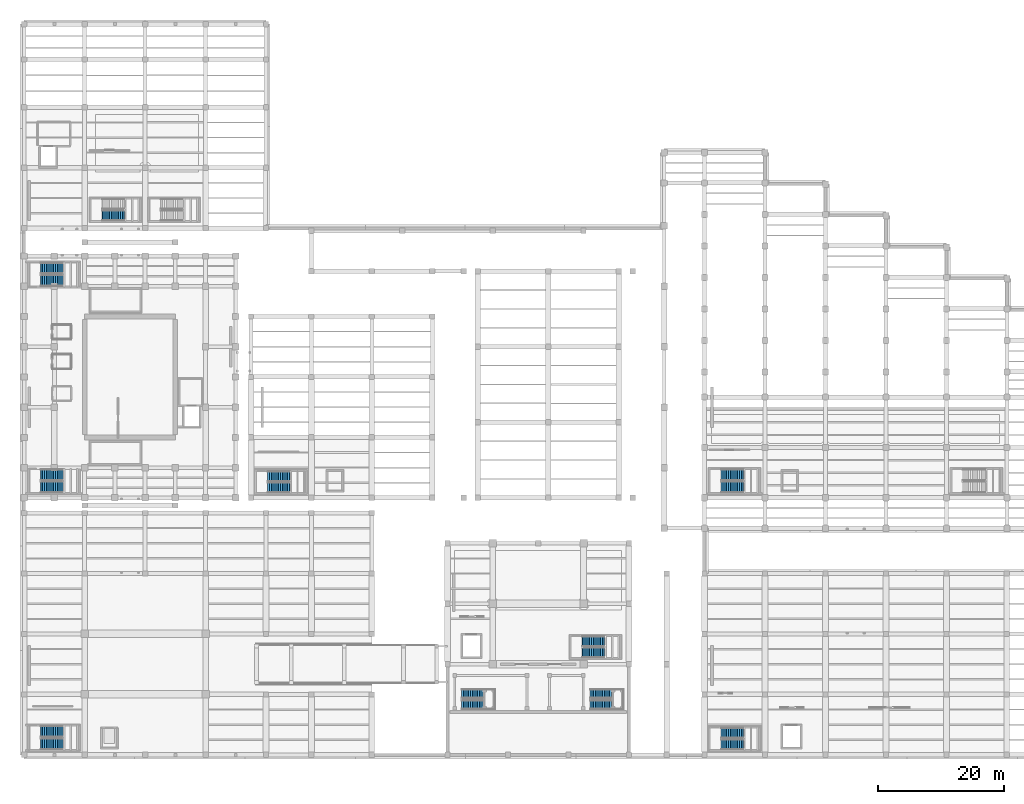
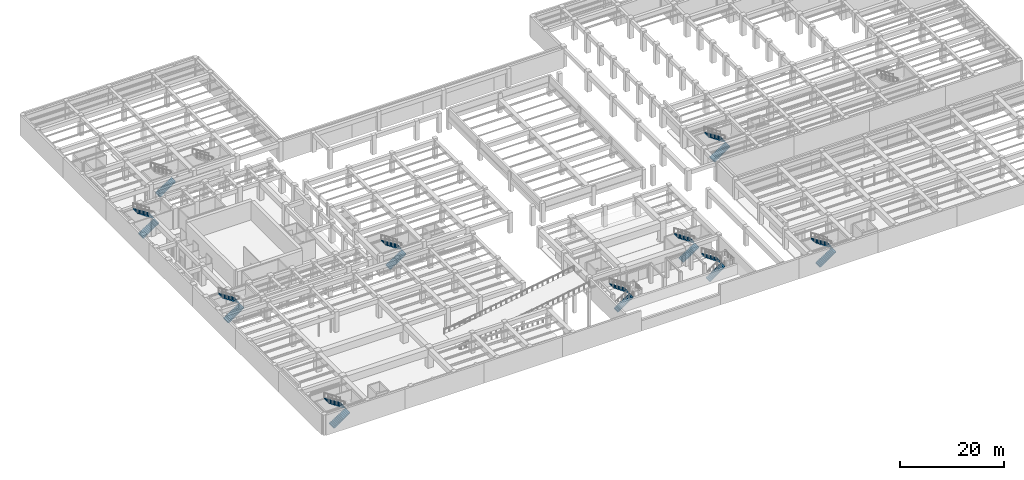
# One storey, part 30 of 45: 19 stair flights, 10 elements without a shape of their own.
"""IFC4 building model written with IfcOpenShell, lengths in metres."""

from ifc_helpers import new_model, si_unit, direction, frame, origin, place, context, subcontext, project, spatial, polyline, outline, extrude, material, type_object, element, aggregate, save


model = new_model("IFC4")

# Units and contexts
model_context = context("Model", 3, precision=1e-05, world=origin(), true_north=direction((0.0, 1.0)))
body_context = subcontext(model_context, "Body", "Model", "MODEL_VIEW")
ifc_project = project(units=[si_unit("LENGTHUNIT", "METRE"), si_unit("AREAUNIT", "SQUARE_METRE"), si_unit("VOLUMEUNIT", "CUBIC_METRE"), si_unit("PLANEANGLEUNIT", "RADIAN"), si_unit("MASSUNIT", "GRAM", prefix="KILO")], contexts=[model_context])

# Site, building, storey
site_placement = place(None, origin())
site = spatial("IfcSite", under=ifc_project, at=site_placement, CompositionType="ELEMENT")
building_placement = place(site_placement, origin())
building = spatial("IfcBuilding", under=site, at=building_placement, Name="Mavantir Sound Aquarium", CompositionType="ELEMENT")
storey_placement = place(building_placement, frame((0.0, 0.0, -4.800048828125)))
storey = spatial("IfcBuildingStorey", under=building, at=storey_placement, Name="B1", CompositionType="ELEMENT", Elevation=-4.800048828125)

# Stair, stair flights
ifc_material = material(Name="Concrete C40/50", Category="concrete")
stair_type_1 = type_object("IfcStairType", Name="STR-1450-4800", PredefinedType="HALF_TURN_STAIR", material=ifc_material)
stair_1_placement = place(storey_placement, origin())
stair_1 = element("IfcStair", 1, at=stair_1_placement, inside=storey, type_object=stair_type_1, Name="B1 ST13", PredefinedType="HALF_TURN_STAIR")
stair_flight_type_1 = type_object("IfcStairFlightType", Name="STF-1450-4800", PredefinedType="STRAIGHT", material=ifc_material)
stair_flight_1_placement = place(storey_placement, frame((69.449951171875, 7.97509765625, 0.0), z_axis=(0.0, 0.0, 1.0), x_axis=(1.0, 0.0, 0.0)))
stair_flight_1 = element("IfcStairFlight", 2, at=stair_flight_1_placement, type_object=stair_flight_type_1, Name="ST13 flight 1", NumberOfRisers=13, NumberOfTreads=12, PredefinedType="STRAIGHT", RiserHeight=0.184615385, TreadLength=0.28, context=body_context, shape_type="SweptSolid", body=[
    extrude(outline(polyline([(-0.044921875, -0.139892578125), (-0.044921875, 0.0), (0.0, 0.0), (0.0, 0.1845703125), (0.280029296875, 0.1845703125), (0.280029296875, 0.369140625), (0.56005859375, 0.369140625), (0.56005859375, 0.553955078125), (0.840087890625, 0.553955078125), (0.840087890625, 0.738525390625), (1.1201171875, 0.738525390625), (1.1201171875, 0.923095703125), (1.39990234375, 0.923095703125), (1.39990234375, 1.107666015625), (1.679931640625, 1.107666015625), (1.679931640625, 1.292236328125), (1.9599609375, 1.292236328125), (1.9599609375, 1.476806640625), (2.239990234375, 1.476806640625), (2.239990234375, 1.66162109375), (2.52001953125, 1.66162109375), (2.52001953125, 1.84619140625), (2.800048828125, 1.84619140625), (2.800048828125, 2.03076171875), (3.080078125, 2.03076171875), (3.080078125, 2.21533203125), (3.360107421875, 2.21533203125), (3.360107421875, 2.39990234375), (3.405029296875, 2.39990234375), (3.405029296875, 2.080078125), (3.360107421875, 2.080078125), (0.205322265625, -0.139892578125), (-0.044921875, -0.139892578125)])), frame((0.0, 0.72509765625, 0.0), z_axis=(0.0, -1.0, 0.0), x_axis=(1.0, 0.0, 0.0)), (0.0, 0.0, 1.0), 1.449951171875),
])
stair_flight_2_placement = place(storey_placement, frame((72.81005859375, 9.72509765625, 2.400146484375), z_axis=(0.0, 0.0, 1.0), x_axis=(-1.0, 0.0, 0.0)))
stair_flight_2 = element("IfcStairFlight", 3, at=stair_flight_2_placement, type_object=stair_flight_type_1, Name="ST13 flight 2", NumberOfRisers=13, NumberOfTreads=12, PredefinedType="STRAIGHT", RiserHeight=0.184615385, TreadLength=0.28, context=body_context, shape_type="SweptSolid", body=[
    extrude(outline(polyline([(-0.044921875, -0.139892578125), (-0.044921875, 0.0), (0.0, 0.0), (0.0, 0.1845703125), (0.280029296875, 0.1845703125), (0.280029296875, 0.369140625), (0.56005859375, 0.369140625), (0.56005859375, 0.553955078125), (0.840087890625, 0.553955078125), (0.840087890625, 0.738525390625), (1.1201171875, 0.738525390625), (1.1201171875, 0.923095703125), (1.39990234375, 0.923095703125), (1.39990234375, 1.107666015625), (1.679931640625, 1.107666015625), (1.679931640625, 1.292236328125), (1.9599609375, 1.292236328125), (1.9599609375, 1.476806640625), (2.239990234375, 1.476806640625), (2.239990234375, 1.66162109375), (2.52001953125, 1.66162109375), (2.52001953125, 1.84619140625), (2.800048828125, 1.84619140625), (2.800048828125, 2.03076171875), (3.080078125, 2.03076171875), (3.080078125, 2.21533203125), (3.360107421875, 2.21533203125), (3.360107421875, 2.39990234375), (3.405029296875, 2.39990234375), (3.405029296875, 2.080078125), (3.360107421875, 2.080078125), (0.205322265625, -0.139892578125), (-0.044921875, -0.139892578125)])), frame((0.0, 0.72509765625, 0.0), z_axis=(0.0, -1.0, 0.0), x_axis=(1.0, 0.0, 0.0)), (0.0, 0.0, 1.0), 1.449951171875),
])
aggregate(stair_1, [stair_flight_1, stair_flight_2])

stair_2_placement = place(storey_placement, origin())
stair_2 = element("IfcStair", 4, at=stair_2_placement, inside=storey, type_object=stair_type_1, Name="B1 ST14", PredefinedType="HALF_TURN_STAIR")
stair_flight_3_placement = place(storey_placement, frame((89.85009765625, 7.97509765625, 0.0), z_axis=(0.0, 0.0, 1.0), x_axis=(1.0, 0.0, 0.0)))
stair_flight_3 = element("IfcStairFlight", 5, at=stair_flight_3_placement, type_object=stair_flight_type_1, Name="ST14 flight 1", NumberOfRisers=13, NumberOfTreads=12, PredefinedType="STRAIGHT", RiserHeight=0.184615385, TreadLength=0.28, context=body_context, shape_type="SweptSolid", body=[
    extrude(outline(polyline([(-0.044921875, -0.139892578125), (-0.044921875, 0.0), (0.0, 0.0), (0.0, 0.1845703125), (0.280029296875, 0.1845703125), (0.280029296875, 0.369140625), (0.56005859375, 0.369140625), (0.56005859375, 0.553955078125), (0.840087890625, 0.553955078125), (0.840087890625, 0.738525390625), (1.1201171875, 0.738525390625), (1.1201171875, 0.923095703125), (1.39990234375, 0.923095703125), (1.39990234375, 1.107666015625), (1.679931640625, 1.107666015625), (1.679931640625, 1.292236328125), (1.9599609375, 1.292236328125), (1.9599609375, 1.476806640625), (2.239990234375, 1.476806640625), (2.239990234375, 1.66162109375), (2.52001953125, 1.66162109375), (2.52001953125, 1.84619140625), (2.800048828125, 1.84619140625), (2.800048828125, 2.03076171875), (3.080078125, 2.03076171875), (3.080078125, 2.21533203125), (3.360107421875, 2.21533203125), (3.360107421875, 2.39990234375), (3.405029296875, 2.39990234375), (3.405029296875, 2.080078125), (3.360107421875, 2.080078125), (0.205322265625, -0.139892578125), (-0.044921875, -0.139892578125)])), frame((0.0, 0.72509765625, 0.0), z_axis=(0.0, -1.0, 0.0), x_axis=(1.0, 0.0, 0.0)), (0.0, 0.0, 1.0), 1.449951171875),
])
stair_flight_4_placement = place(storey_placement, frame((93.2099609375, 9.72509765625, 2.400146484375), z_axis=(0.0, 0.0, 1.0), x_axis=(-1.0, 0.0, 0.0)))
stair_flight_4 = element("IfcStairFlight", 6, at=stair_flight_4_placement, type_object=stair_flight_type_1, Name="ST14 flight 2", NumberOfRisers=13, NumberOfTreads=12, PredefinedType="STRAIGHT", RiserHeight=0.184615385, TreadLength=0.28, context=body_context, shape_type="SweptSolid", body=[
    extrude(outline(polyline([(-0.044921875, -0.139892578125), (-0.044921875, 0.0), (0.0, 0.0), (0.0, 0.1845703125), (0.280029296875, 0.1845703125), (0.280029296875, 0.369140625), (0.56005859375, 0.369140625), (0.56005859375, 0.553955078125), (0.840087890625, 0.553955078125), (0.840087890625, 0.738525390625), (1.1201171875, 0.738525390625), (1.1201171875, 0.923095703125), (1.39990234375, 0.923095703125), (1.39990234375, 1.107666015625), (1.679931640625, 1.107666015625), (1.679931640625, 1.292236328125), (1.9599609375, 1.292236328125), (1.9599609375, 1.476806640625), (2.239990234375, 1.476806640625), (2.239990234375, 1.66162109375), (2.52001953125, 1.66162109375), (2.52001953125, 1.84619140625), (2.800048828125, 1.84619140625), (2.800048828125, 2.03076171875), (3.080078125, 2.03076171875), (3.080078125, 2.21533203125), (3.360107421875, 2.21533203125), (3.360107421875, 2.39990234375), (3.405029296875, 2.39990234375), (3.405029296875, 2.080078125), (3.360107421875, 2.080078125), (0.205322265625, -0.139892578125), (-0.044921875, -0.139892578125)])), frame((0.0, 0.72509765625, 0.0), z_axis=(0.0, -1.0, 0.0), x_axis=(1.0, 0.0, 0.0)), (0.0, 0.0, 1.0), 1.449951171875),
])
aggregate(stair_2, [stair_flight_3, stair_flight_4])

# Stair, stair flight
stair_type_2 = type_object("IfcStairType", Name="STR-1650-4800", PredefinedType="HALF_TURN_STAIR", material=ifc_material)
stair_3_placement = place(storey_placement, origin())
stair_3 = element("IfcStair", 7, at=stair_3_placement, inside=storey, type_object=stair_type_2, Name="B1 Protected exit stair ST5", PredefinedType="HALF_TURN_STAIR")
stair_flight_type_2 = type_object("IfcStairFlightType", Name="STF-1650-4800", PredefinedType="STRAIGHT", material=ifc_material)
stair_flight_5_placement = place(storey_placement, frame((12.39990234375, 85.625, 0.0), z_axis=(0.0, 0.0, 1.0), x_axis=(1.0, 0.0, 0.0)))
stair_flight_5 = element("IfcStairFlight", 8, at=stair_flight_5_placement, type_object=stair_flight_type_2, Name="ST5 flight 1", NumberOfRisers=13, NumberOfTreads=12, PredefinedType="STRAIGHT", RiserHeight=0.184615385, TreadLength=0.29, context=body_context, shape_type="SweptSolid", body=[
    extrude(outline(polyline([(-0.044921875, -0.139892578125), (-0.044921875, 0.0), (0.0, 0.0), (0.0, 0.1845703125), (0.2900390625, 0.1845703125), (0.2900390625, 0.369140625), (0.580078125, 0.369140625), (0.580078125, 0.553955078125), (0.8701171875, 0.553955078125), (0.8701171875, 0.738525390625), (1.159912109375, 0.738525390625), (1.159912109375, 0.923095703125), (1.449951171875, 0.923095703125), (1.449951171875, 1.107666015625), (1.739990234375, 1.107666015625), (1.739990234375, 1.292236328125), (2.030029296875, 1.292236328125), (2.030029296875, 1.476806640625), (2.320068359375, 1.476806640625), (2.320068359375, 1.66162109375), (2.610107421875, 1.66162109375), (2.610107421875, 1.84619140625), (2.89990234375, 1.84619140625), (2.89990234375, 2.03076171875), (3.18994140625, 2.03076171875), (3.18994140625, 2.21533203125), (3.47998046875, 2.21533203125), (3.47998046875, 2.39990234375), (3.52490234375, 2.39990234375), (3.52490234375, 2.080078125), (3.47998046875, 2.080078125), (0.212646484375, -0.139892578125), (-0.044921875, -0.139892578125)])), frame((0.0, 0.824951171875, 0.0), z_axis=(0.0, -1.0, 0.0), x_axis=(1.0, 0.0, 0.0)), (0.0, 0.0, 1.0), 1.64990234375),
])
aggregate(stair_3, [stair_flight_5])

# Stair, stair flights
stair_4_placement = place(storey_placement, origin())
stair_4 = element("IfcStair", 9, at=stair_4_placement, inside=storey, type_object=stair_type_2, Name="B1 Protected exit stair ST6", PredefinedType="HALF_TURN_STAIR")
stair_flight_6_placement = place(storey_placement, frame((110.64990234375, 1.675048828125, 0.0), z_axis=(0.0, 0.0, 1.0), x_axis=(1.0, 0.0, 0.0)))
stair_flight_6 = element("IfcStairFlight", 10, at=stair_flight_6_placement, type_object=stair_flight_type_2, Name="ST6 flight 1", NumberOfRisers=13, NumberOfTreads=12, PredefinedType="STRAIGHT", RiserHeight=0.184615385, TreadLength=0.29, context=body_context, shape_type="SweptSolid", body=[
    extrude(outline(polyline([(-0.044921875, -0.139892578125), (-0.044921875, 0.0), (0.0, 0.0), (0.0, 0.1845703125), (0.2900390625, 0.1845703125), (0.2900390625, 0.369140625), (0.580078125, 0.369140625), (0.580078125, 0.553955078125), (0.8701171875, 0.553955078125), (0.8701171875, 0.738525390625), (1.159912109375, 0.738525390625), (1.159912109375, 0.923095703125), (1.449951171875, 0.923095703125), (1.449951171875, 1.107666015625), (1.739990234375, 1.107666015625), (1.739990234375, 1.292236328125), (2.030029296875, 1.292236328125), (2.030029296875, 1.476806640625), (2.320068359375, 1.476806640625), (2.320068359375, 1.66162109375), (2.610107421875, 1.66162109375), (2.610107421875, 1.84619140625), (2.89990234375, 1.84619140625), (2.89990234375, 2.03076171875), (3.18994140625, 2.03076171875), (3.18994140625, 2.21533203125), (3.47998046875, 2.21533203125), (3.47998046875, 2.39990234375), (3.52490234375, 2.39990234375), (3.52490234375, 2.080078125), (3.47998046875, 2.080078125), (0.212646484375, -0.139892578125), (-0.044921875, -0.139892578125)])), frame((0.0, 0.824951171875, 0.0), z_axis=(0.0, -1.0, 0.0), x_axis=(1.0, 0.0, 0.0)), (0.0, 0.0, 1.0), 1.64990234375),
])
stair_flight_7_placement = place(storey_placement, frame((114.1298828125, 3.47509765625, 2.400146484375), z_axis=(0.0, 0.0, 1.0), x_axis=(-1.0, 0.0, 0.0)))
stair_flight_7 = element("IfcStairFlight", 11, at=stair_flight_7_placement, type_object=stair_flight_type_2, Name="ST6 flight 2", NumberOfRisers=13, NumberOfTreads=12, PredefinedType="STRAIGHT", RiserHeight=0.184615385, TreadLength=0.29, context=body_context, shape_type="SweptSolid", body=[
    extrude(outline(polyline([(-0.044921875, -0.139892578125), (-0.044921875, 0.0), (0.0, 0.0), (0.0, 0.1845703125), (0.2900390625, 0.1845703125), (0.2900390625, 0.369140625), (0.580078125, 0.369140625), (0.580078125, 0.553955078125), (0.8701171875, 0.553955078125), (0.8701171875, 0.738525390625), (1.159912109375, 0.738525390625), (1.159912109375, 0.923095703125), (1.449951171875, 0.923095703125), (1.449951171875, 1.107666015625), (1.739990234375, 1.107666015625), (1.739990234375, 1.292236328125), (2.030029296875, 1.292236328125), (2.030029296875, 1.476806640625), (2.320068359375, 1.476806640625), (2.320068359375, 1.66162109375), (2.610107421875, 1.66162109375), (2.610107421875, 1.84619140625), (2.89990234375, 1.84619140625), (2.89990234375, 2.03076171875), (3.18994140625, 2.03076171875), (3.18994140625, 2.21533203125), (3.47998046875, 2.21533203125), (3.47998046875, 2.39990234375), (3.52490234375, 2.39990234375), (3.52490234375, 2.080078125), (3.47998046875, 2.080078125), (0.212646484375, -0.139892578125), (-0.044921875, -0.139892578125)])), frame((0.0, 0.824951171875, 0.0), z_axis=(0.0, -1.0, 0.0), x_axis=(1.0, 0.0, 0.0)), (0.0, 0.0, 1.0), 1.64990234375),
])
aggregate(stair_4, [stair_flight_6, stair_flight_7])

stair_5_placement = place(storey_placement, origin())
stair_5 = element("IfcStair", 12, at=stair_5_placement, inside=storey, type_object=stair_type_2, Name="B1 Protected exit stair ST8", PredefinedType="HALF_TURN_STAIR")
stair_flight_8_placement = place(storey_placement, frame((38.64990234375, 42.425048828125, 0.0), z_axis=(0.0, 0.0, 1.0), x_axis=(1.0, 0.0, 0.0)))
stair_flight_8 = element("IfcStairFlight", 13, at=stair_flight_8_placement, type_object=stair_flight_type_2, Name="ST8 flight 1", NumberOfRisers=13, NumberOfTreads=12, PredefinedType="STRAIGHT", RiserHeight=0.184615385, TreadLength=0.29, context=body_context, shape_type="SweptSolid", body=[
    extrude(outline(polyline([(-0.044921875, -0.139892578125), (-0.044921875, 0.0), (0.0, 0.0), (0.0, 0.1845703125), (0.2900390625, 0.1845703125), (0.2900390625, 0.369140625), (0.580078125, 0.369140625), (0.580078125, 0.553955078125), (0.8701171875, 0.553955078125), (0.8701171875, 0.738525390625), (1.159912109375, 0.738525390625), (1.159912109375, 0.923095703125), (1.449951171875, 0.923095703125), (1.449951171875, 1.107666015625), (1.739990234375, 1.107666015625), (1.739990234375, 1.292236328125), (2.030029296875, 1.292236328125), (2.030029296875, 1.476806640625), (2.320068359375, 1.476806640625), (2.320068359375, 1.66162109375), (2.610107421875, 1.66162109375), (2.610107421875, 1.84619140625), (2.89990234375, 1.84619140625), (2.89990234375, 2.03076171875), (3.18994140625, 2.03076171875), (3.18994140625, 2.21533203125), (3.47998046875, 2.21533203125), (3.47998046875, 2.39990234375), (3.52490234375, 2.39990234375), (3.52490234375, 2.080078125), (3.47998046875, 2.080078125), (0.212646484375, -0.139892578125), (-0.044921875, -0.139892578125)])), frame((0.0, 0.824951171875, 0.0), z_axis=(0.0, -1.0, 0.0), x_axis=(1.0, 0.0, 0.0)), (0.0, 0.0, 1.0), 1.64990234375),
])
stair_flight_9_placement = place(storey_placement, frame((42.1298828125, 44.22509765625, 2.400146484375), z_axis=(0.0, 0.0, 1.0), x_axis=(-1.0, 0.0, 0.0)))
stair_flight_9 = element("IfcStairFlight", 14, at=stair_flight_9_placement, type_object=stair_flight_type_2, Name="ST8 flight 2", NumberOfRisers=13, NumberOfTreads=12, PredefinedType="STRAIGHT", RiserHeight=0.184615385, TreadLength=0.29, context=body_context, shape_type="SweptSolid", body=[
    extrude(outline(polyline([(-0.044921875, -0.139892578125), (-0.044921875, 0.0), (0.0, 0.0), (0.0, 0.1845703125), (0.2900390625, 0.1845703125), (0.2900390625, 0.369140625), (0.580078125, 0.369140625), (0.580078125, 0.553955078125), (0.8701171875, 0.553955078125), (0.8701171875, 0.738525390625), (1.159912109375, 0.738525390625), (1.159912109375, 0.923095703125), (1.449951171875, 0.923095703125), (1.449951171875, 1.107666015625), (1.739990234375, 1.107666015625), (1.739990234375, 1.292236328125), (2.030029296875, 1.292236328125), (2.030029296875, 1.476806640625), (2.320068359375, 1.476806640625), (2.320068359375, 1.66162109375), (2.610107421875, 1.66162109375), (2.610107421875, 1.84619140625), (2.89990234375, 1.84619140625), (2.89990234375, 2.03076171875), (3.18994140625, 2.03076171875), (3.18994140625, 2.21533203125), (3.47998046875, 2.21533203125), (3.47998046875, 2.39990234375), (3.52490234375, 2.39990234375), (3.52490234375, 2.080078125), (3.47998046875, 2.080078125), (0.212646484375, -0.139892578125), (-0.044921875, -0.139892578125)])), frame((0.0, 0.824951171875, 0.0), z_axis=(0.0, -1.0, 0.0), x_axis=(1.0, 0.0, 0.0)), (0.0, 0.0, 1.0), 1.64990234375),
])
aggregate(stair_5, [stair_flight_8, stair_flight_9])

stair_6_placement = place(storey_placement, origin())
stair_6 = element("IfcStair", 15, at=stair_6_placement, inside=storey, type_object=stair_type_2, Name="B1 Protected exit stair ST11", PredefinedType="HALF_TURN_STAIR")
stair_flight_10_placement = place(storey_placement, frame((88.60009765625, 16.22509765625, 0.0), z_axis=(0.0, 0.0, 1.0), x_axis=(1.0, 0.0, 0.0)))
stair_flight_10 = element("IfcStairFlight", 16, at=stair_flight_10_placement, type_object=stair_flight_type_2, Name="ST11 flight 1", NumberOfRisers=13, NumberOfTreads=12, PredefinedType="STRAIGHT", RiserHeight=0.184615385, TreadLength=0.29, context=body_context, shape_type="SweptSolid", body=[
    extrude(outline(polyline([(-0.044921875, -0.139892578125), (-0.044921875, 0.0), (0.0, 0.0), (0.0, 0.1845703125), (0.2900390625, 0.1845703125), (0.2900390625, 0.369140625), (0.580078125, 0.369140625), (0.580078125, 0.553955078125), (0.8701171875, 0.553955078125), (0.8701171875, 0.738525390625), (1.159912109375, 0.738525390625), (1.159912109375, 0.923095703125), (1.449951171875, 0.923095703125), (1.449951171875, 1.107666015625), (1.739990234375, 1.107666015625), (1.739990234375, 1.292236328125), (2.030029296875, 1.292236328125), (2.030029296875, 1.476806640625), (2.320068359375, 1.476806640625), (2.320068359375, 1.66162109375), (2.610107421875, 1.66162109375), (2.610107421875, 1.84619140625), (2.89990234375, 1.84619140625), (2.89990234375, 2.03076171875), (3.18994140625, 2.03076171875), (3.18994140625, 2.21533203125), (3.47998046875, 2.21533203125), (3.47998046875, 2.39990234375), (3.52490234375, 2.39990234375), (3.52490234375, 2.080078125), (3.47998046875, 2.080078125), (0.212646484375, -0.139892578125), (-0.044921875, -0.139892578125)])), frame((0.0, 0.824951171875, 0.0), z_axis=(0.0, -1.0, 0.0), x_axis=(1.0, 0.0, 0.0)), (0.0, 0.0, 1.0), 1.64990234375),
])
stair_flight_11_placement = place(storey_placement, frame((92.080078125, 18.02490234375, 2.400146484375), z_axis=(0.0, 0.0, 1.0), x_axis=(-1.0, 0.0, 0.0)))
stair_flight_11 = element("IfcStairFlight", 17, at=stair_flight_11_placement, type_object=stair_flight_type_2, Name="ST11 flight 2", NumberOfRisers=13, NumberOfTreads=12, PredefinedType="STRAIGHT", RiserHeight=0.184615385, TreadLength=0.29, context=body_context, shape_type="SweptSolid", body=[
    extrude(outline(polyline([(-0.044921875, -0.139892578125), (-0.044921875, 0.0), (0.0, 0.0), (0.0, 0.1845703125), (0.2900390625, 0.1845703125), (0.2900390625, 0.369140625), (0.580078125, 0.369140625), (0.580078125, 0.553955078125), (0.8701171875, 0.553955078125), (0.8701171875, 0.738525390625), (1.159912109375, 0.738525390625), (1.159912109375, 0.923095703125), (1.449951171875, 0.923095703125), (1.449951171875, 1.107666015625), (1.739990234375, 1.107666015625), (1.739990234375, 1.292236328125), (2.030029296875, 1.292236328125), (2.030029296875, 1.476806640625), (2.320068359375, 1.476806640625), (2.320068359375, 1.66162109375), (2.610107421875, 1.66162109375), (2.610107421875, 1.84619140625), (2.89990234375, 1.84619140625), (2.89990234375, 2.03076171875), (3.18994140625, 2.03076171875), (3.18994140625, 2.21533203125), (3.47998046875, 2.21533203125), (3.47998046875, 2.39990234375), (3.52490234375, 2.39990234375), (3.52490234375, 2.080078125), (3.47998046875, 2.080078125), (0.212646484375, -0.139892578125), (-0.044921875, -0.139892578125)])), frame((0.0, 0.824951171875, 0.0), z_axis=(0.0, -1.0, 0.0), x_axis=(1.0, 0.0, 0.0)), (0.0, 0.0, 1.0), 1.64990234375),
])
aggregate(stair_6, [stair_flight_10, stair_flight_11])

stair_type_3 = type_object("IfcStairType", Name="STR-1800-4800", PredefinedType="HALF_TURN_STAIR", material=ifc_material)
stair_7_placement = place(storey_placement, origin())
stair_7 = element("IfcStair", 18, at=stair_7_placement, inside=storey, type_object=stair_type_3, Name="B1 Protected exit stair ST1", PredefinedType="HALF_TURN_STAIR")
stair_flight_type_3 = type_object("IfcStairFlightType", Name="STF-1800-4800", PredefinedType="STRAIGHT", material=ifc_material)
stair_flight_12_placement = place(storey_placement, frame((2.64990234375, 42.5, 0.0), z_axis=(0.0, 0.0, 1.0), x_axis=(1.0, 0.0, 0.0)))
stair_flight_12 = element("IfcStairFlight", 19, at=stair_flight_12_placement, type_object=stair_flight_type_3, Name="ST1 flight 1", NumberOfRisers=13, NumberOfTreads=12, PredefinedType="STRAIGHT", RiserHeight=0.184615385, TreadLength=0.29, context=body_context, shape_type="SweptSolid", body=[
    extrude(outline(polyline([(-0.044921875, -0.139892578125), (-0.044921875, 0.0), (0.0, 0.0), (0.0, 0.1845703125), (0.2900390625, 0.1845703125), (0.2900390625, 0.369140625), (0.580078125, 0.369140625), (0.580078125, 0.553955078125), (0.8701171875, 0.553955078125), (0.8701171875, 0.738525390625), (1.159912109375, 0.738525390625), (1.159912109375, 0.923095703125), (1.449951171875, 0.923095703125), (1.449951171875, 1.107666015625), (1.739990234375, 1.107666015625), (1.739990234375, 1.292236328125), (2.030029296875, 1.292236328125), (2.030029296875, 1.476806640625), (2.320068359375, 1.476806640625), (2.320068359375, 1.66162109375), (2.610107421875, 1.66162109375), (2.610107421875, 1.84619140625), (2.89990234375, 1.84619140625), (2.89990234375, 2.03076171875), (3.18994140625, 2.03076171875), (3.18994140625, 2.21533203125), (3.47998046875, 2.21533203125), (3.47998046875, 2.39990234375), (3.52490234375, 2.39990234375), (3.52490234375, 2.080078125), (3.47998046875, 2.080078125), (0.212646484375, -0.139892578125), (-0.044921875, -0.139892578125)])), frame((0.0, 0.89990234375, 0.0), z_axis=(0.0, -1.0, 0.0), x_axis=(1.0, 0.0, 0.0)), (0.0, 0.0, 1.0), 1.800048828125),
])
stair_flight_13_placement = place(storey_placement, frame((6.1298828125, 44.449951171875, 2.400146484375), z_axis=(0.0, 0.0, 1.0), x_axis=(-1.0, 0.0, 0.0)))
stair_flight_13 = element("IfcStairFlight", 20, at=stair_flight_13_placement, type_object=stair_flight_type_3, Name="ST1 flight 2", NumberOfRisers=13, NumberOfTreads=12, PredefinedType="STRAIGHT", RiserHeight=0.184615385, TreadLength=0.29, context=body_context, shape_type="SweptSolid", body=[
    extrude(outline(polyline([(-0.044921875, -0.139892578125), (-0.044921875, 0.0), (0.0, 0.0), (0.0, 0.1845703125), (0.2900390625, 0.1845703125), (0.2900390625, 0.369140625), (0.580078125, 0.369140625), (0.580078125, 0.553955078125), (0.8701171875, 0.553955078125), (0.8701171875, 0.738525390625), (1.159912109375, 0.738525390625), (1.159912109375, 0.923095703125), (1.449951171875, 0.923095703125), (1.449951171875, 1.107666015625), (1.739990234375, 1.107666015625), (1.739990234375, 1.292236328125), (2.030029296875, 1.292236328125), (2.030029296875, 1.476806640625), (2.320068359375, 1.476806640625), (2.320068359375, 1.66162109375), (2.610107421875, 1.66162109375), (2.610107421875, 1.84619140625), (2.89990234375, 1.84619140625), (2.89990234375, 2.03076171875), (3.18994140625, 2.03076171875), (3.18994140625, 2.21533203125), (3.47998046875, 2.21533203125), (3.47998046875, 2.39990234375), (3.52490234375, 2.39990234375), (3.52490234375, 2.080078125), (3.47998046875, 2.080078125), (0.212646484375, -0.139892578125), (-0.044921875, -0.139892578125)])), frame((0.0, 0.89990234375, 0.0), z_axis=(0.0, -1.0, 0.0), x_axis=(1.0, 0.0, 0.0)), (0.0, 0.0, 1.0), 1.800048828125),
])
aggregate(stair_7, [stair_flight_12, stair_flight_13])

stair_8_placement = place(storey_placement, origin())
stair_8 = element("IfcStair", 21, at=stair_8_placement, inside=storey, type_object=stair_type_3, Name="B1 Protected exit stair ST2", PredefinedType="HALF_TURN_STAIR")
stair_flight_14_placement = place(storey_placement, frame((2.64990234375, 75.300048828125, 0.0), z_axis=(0.0, 0.0, 1.0), x_axis=(1.0, 0.0, 0.0)))
stair_flight_14 = element("IfcStairFlight", 22, at=stair_flight_14_placement, type_object=stair_flight_type_3, Name="ST2 flight 1", NumberOfRisers=13, NumberOfTreads=12, PredefinedType="STRAIGHT", RiserHeight=0.184615385, TreadLength=0.29, context=body_context, shape_type="SweptSolid", body=[
    extrude(outline(polyline([(-0.044921875, -0.139892578125), (-0.044921875, 0.0), (0.0, 0.0), (0.0, 0.1845703125), (0.2900390625, 0.1845703125), (0.2900390625, 0.369140625), (0.580078125, 0.369140625), (0.580078125, 0.553955078125), (0.8701171875, 0.553955078125), (0.8701171875, 0.738525390625), (1.159912109375, 0.738525390625), (1.159912109375, 0.923095703125), (1.449951171875, 0.923095703125), (1.449951171875, 1.107666015625), (1.739990234375, 1.107666015625), (1.739990234375, 1.292236328125), (2.030029296875, 1.292236328125), (2.030029296875, 1.476806640625), (2.320068359375, 1.476806640625), (2.320068359375, 1.66162109375), (2.610107421875, 1.66162109375), (2.610107421875, 1.84619140625), (2.89990234375, 1.84619140625), (2.89990234375, 2.03076171875), (3.18994140625, 2.03076171875), (3.18994140625, 2.21533203125), (3.47998046875, 2.21533203125), (3.47998046875, 2.39990234375), (3.52490234375, 2.39990234375), (3.52490234375, 2.080078125), (3.47998046875, 2.080078125), (0.212646484375, -0.139892578125), (-0.044921875, -0.139892578125)])), frame((0.0, 0.89990234375, 0.0), z_axis=(0.0, -1.0, 0.0), x_axis=(1.0, 0.0, 0.0)), (0.0, 0.0, 1.0), 1.800048828125),
])
stair_flight_15_placement = place(storey_placement, frame((6.1298828125, 77.25, 2.400146484375), z_axis=(0.0, 0.0, 1.0), x_axis=(-1.0, 0.0, 0.0)))
stair_flight_15 = element("IfcStairFlight", 23, at=stair_flight_15_placement, type_object=stair_flight_type_3, Name="ST2 flight 2", NumberOfRisers=13, NumberOfTreads=12, PredefinedType="STRAIGHT", RiserHeight=0.184615385, TreadLength=0.29, context=body_context, shape_type="SweptSolid", body=[
    extrude(outline(polyline([(-0.044921875, -0.139892578125), (-0.044921875, 0.0), (0.0, 0.0), (0.0, 0.1845703125), (0.2900390625, 0.1845703125), (0.2900390625, 0.369140625), (0.580078125, 0.369140625), (0.580078125, 0.553955078125), (0.8701171875, 0.553955078125), (0.8701171875, 0.738525390625), (1.159912109375, 0.738525390625), (1.159912109375, 0.923095703125), (1.449951171875, 0.923095703125), (1.449951171875, 1.107666015625), (1.739990234375, 1.107666015625), (1.739990234375, 1.292236328125), (2.030029296875, 1.292236328125), (2.030029296875, 1.476806640625), (2.320068359375, 1.476806640625), (2.320068359375, 1.66162109375), (2.610107421875, 1.66162109375), (2.610107421875, 1.84619140625), (2.89990234375, 1.84619140625), (2.89990234375, 2.03076171875), (3.18994140625, 2.03076171875), (3.18994140625, 2.21533203125), (3.47998046875, 2.21533203125), (3.47998046875, 2.39990234375), (3.52490234375, 2.39990234375), (3.52490234375, 2.080078125), (3.47998046875, 2.080078125), (0.212646484375, -0.139892578125), (-0.044921875, -0.139892578125)])), frame((0.0, 0.89990234375, 0.0), z_axis=(0.0, -1.0, 0.0), x_axis=(1.0, 0.0, 0.0)), (0.0, 0.0, 1.0), 1.800048828125),
])
aggregate(stair_8, [stair_flight_14, stair_flight_15])

stair_9_placement = place(storey_placement, origin())
stair_9 = element("IfcStair", 24, at=stair_9_placement, inside=storey, type_object=stair_type_3, Name="B1 Protected exit stair ST3", PredefinedType="HALF_TURN_STAIR")
stair_flight_16_placement = place(storey_placement, frame((2.64990234375, 1.75, 0.0), z_axis=(0.0, 0.0, 1.0), x_axis=(1.0, 0.0, 0.0)))
stair_flight_16 = element("IfcStairFlight", 25, at=stair_flight_16_placement, type_object=stair_flight_type_3, Name="ST3 flight 1", NumberOfRisers=13, NumberOfTreads=12, PredefinedType="STRAIGHT", RiserHeight=0.184615385, TreadLength=0.29, context=body_context, shape_type="SweptSolid", body=[
    extrude(outline(polyline([(-0.044921875, -0.139892578125), (-0.044921875, 0.0), (0.0, 0.0), (0.0, 0.1845703125), (0.2900390625, 0.1845703125), (0.2900390625, 0.369140625), (0.580078125, 0.369140625), (0.580078125, 0.553955078125), (0.8701171875, 0.553955078125), (0.8701171875, 0.738525390625), (1.159912109375, 0.738525390625), (1.159912109375, 0.923095703125), (1.449951171875, 0.923095703125), (1.449951171875, 1.107666015625), (1.739990234375, 1.107666015625), (1.739990234375, 1.292236328125), (2.030029296875, 1.292236328125), (2.030029296875, 1.476806640625), (2.320068359375, 1.476806640625), (2.320068359375, 1.66162109375), (2.610107421875, 1.66162109375), (2.610107421875, 1.84619140625), (2.89990234375, 1.84619140625), (2.89990234375, 2.03076171875), (3.18994140625, 2.03076171875), (3.18994140625, 2.21533203125), (3.47998046875, 2.21533203125), (3.47998046875, 2.39990234375), (3.52490234375, 2.39990234375), (3.52490234375, 2.080078125), (3.47998046875, 2.080078125), (0.212646484375, -0.139892578125), (-0.044921875, -0.139892578125)])), frame((0.0, 0.89990234375, 0.0), z_axis=(0.0, -1.0, 0.0), x_axis=(1.0, 0.0, 0.0)), (0.0, 0.0, 1.0), 1.800048828125),
])
stair_flight_17_placement = place(storey_placement, frame((6.1298828125, 3.699951171875, 2.400146484375), z_axis=(0.0, 0.0, 1.0), x_axis=(-1.0, 0.0, 0.0)))
stair_flight_17 = element("IfcStairFlight", 26, at=stair_flight_17_placement, type_object=stair_flight_type_3, Name="ST3 flight 2", NumberOfRisers=13, NumberOfTreads=12, PredefinedType="STRAIGHT", RiserHeight=0.184615385, TreadLength=0.29, context=body_context, shape_type="SweptSolid", body=[
    extrude(outline(polyline([(-0.044921875, -0.139892578125), (-0.044921875, 0.0), (0.0, 0.0), (0.0, 0.1845703125), (0.2900390625, 0.1845703125), (0.2900390625, 0.369140625), (0.580078125, 0.369140625), (0.580078125, 0.553955078125), (0.8701171875, 0.553955078125), (0.8701171875, 0.738525390625), (1.159912109375, 0.738525390625), (1.159912109375, 0.923095703125), (1.449951171875, 0.923095703125), (1.449951171875, 1.107666015625), (1.739990234375, 1.107666015625), (1.739990234375, 1.292236328125), (2.030029296875, 1.292236328125), (2.030029296875, 1.476806640625), (2.320068359375, 1.476806640625), (2.320068359375, 1.66162109375), (2.610107421875, 1.66162109375), (2.610107421875, 1.84619140625), (2.89990234375, 1.84619140625), (2.89990234375, 2.03076171875), (3.18994140625, 2.03076171875), (3.18994140625, 2.21533203125), (3.47998046875, 2.21533203125), (3.47998046875, 2.39990234375), (3.52490234375, 2.39990234375), (3.52490234375, 2.080078125), (3.47998046875, 2.080078125), (0.212646484375, -0.139892578125), (-0.044921875, -0.139892578125)])), frame((0.0, 0.89990234375, 0.0), z_axis=(0.0, -1.0, 0.0), x_axis=(1.0, 0.0, 0.0)), (0.0, 0.0, 1.0), 1.800048828125),
])
aggregate(stair_9, [stair_flight_16, stair_flight_17])

stair_10_placement = place(storey_placement, origin())
stair_10 = element("IfcStair", 27, at=stair_10_placement, inside=storey, type_object=stair_type_3, Name="B1 Protected exit stair ST4", PredefinedType="HALF_TURN_STAIR")
stair_flight_18_placement = place(storey_placement, frame((110.64990234375, 42.5, 0.0), z_axis=(0.0, 0.0, 1.0), x_axis=(1.0, 0.0, 0.0)))
stair_flight_18 = element("IfcStairFlight", 28, at=stair_flight_18_placement, type_object=stair_flight_type_3, Name="ST4 flight 1", NumberOfRisers=13, NumberOfTreads=12, PredefinedType="STRAIGHT", RiserHeight=0.184615385, TreadLength=0.29, context=body_context, shape_type="SweptSolid", body=[
    extrude(outline(polyline([(-0.044921875, -0.139892578125), (-0.044921875, 0.0), (0.0, 0.0), (0.0, 0.1845703125), (0.2900390625, 0.1845703125), (0.2900390625, 0.369140625), (0.580078125, 0.369140625), (0.580078125, 0.553955078125), (0.8701171875, 0.553955078125), (0.8701171875, 0.738525390625), (1.159912109375, 0.738525390625), (1.159912109375, 0.923095703125), (1.449951171875, 0.923095703125), (1.449951171875, 1.107666015625), (1.739990234375, 1.107666015625), (1.739990234375, 1.292236328125), (2.030029296875, 1.292236328125), (2.030029296875, 1.476806640625), (2.320068359375, 1.476806640625), (2.320068359375, 1.66162109375), (2.610107421875, 1.66162109375), (2.610107421875, 1.84619140625), (2.89990234375, 1.84619140625), (2.89990234375, 2.03076171875), (3.18994140625, 2.03076171875), (3.18994140625, 2.21533203125), (3.47998046875, 2.21533203125), (3.47998046875, 2.39990234375), (3.52490234375, 2.39990234375), (3.52490234375, 2.080078125), (3.47998046875, 2.080078125), (0.212646484375, -0.139892578125), (-0.044921875, -0.139892578125)])), frame((0.0, 0.89990234375, 0.0), z_axis=(0.0, -1.0, 0.0), x_axis=(1.0, 0.0, 0.0)), (0.0, 0.0, 1.0), 1.800048828125),
])
stair_flight_19_placement = place(storey_placement, frame((114.1298828125, 44.449951171875, 2.400146484375), z_axis=(0.0, 0.0, 1.0), x_axis=(-1.0, 0.0, 0.0)))
stair_flight_19 = element("IfcStairFlight", 29, at=stair_flight_19_placement, type_object=stair_flight_type_3, Name="ST4 flight 2", NumberOfRisers=13, NumberOfTreads=12, PredefinedType="STRAIGHT", RiserHeight=0.184615385, TreadLength=0.29, context=body_context, shape_type="SweptSolid", body=[
    extrude(outline(polyline([(-0.044921875, -0.139892578125), (-0.044921875, 0.0), (0.0, 0.0), (0.0, 0.1845703125), (0.2900390625, 0.1845703125), (0.2900390625, 0.369140625), (0.580078125, 0.369140625), (0.580078125, 0.553955078125), (0.8701171875, 0.553955078125), (0.8701171875, 0.738525390625), (1.159912109375, 0.738525390625), (1.159912109375, 0.923095703125), (1.449951171875, 0.923095703125), (1.449951171875, 1.107666015625), (1.739990234375, 1.107666015625), (1.739990234375, 1.292236328125), (2.030029296875, 1.292236328125), (2.030029296875, 1.476806640625), (2.320068359375, 1.476806640625), (2.320068359375, 1.66162109375), (2.610107421875, 1.66162109375), (2.610107421875, 1.84619140625), (2.89990234375, 1.84619140625), (2.89990234375, 2.03076171875), (3.18994140625, 2.03076171875), (3.18994140625, 2.21533203125), (3.47998046875, 2.21533203125), (3.47998046875, 2.39990234375), (3.52490234375, 2.39990234375), (3.52490234375, 2.080078125), (3.47998046875, 2.080078125), (0.212646484375, -0.139892578125), (-0.044921875, -0.139892578125)])), frame((0.0, 0.89990234375, 0.0), z_axis=(0.0, -1.0, 0.0), x_axis=(1.0, 0.0, 0.0)), (0.0, 0.0, 1.0), 1.800048828125),
])
aggregate(stair_10, [stair_flight_18, stair_flight_19])

save(model, "model.ifc")
